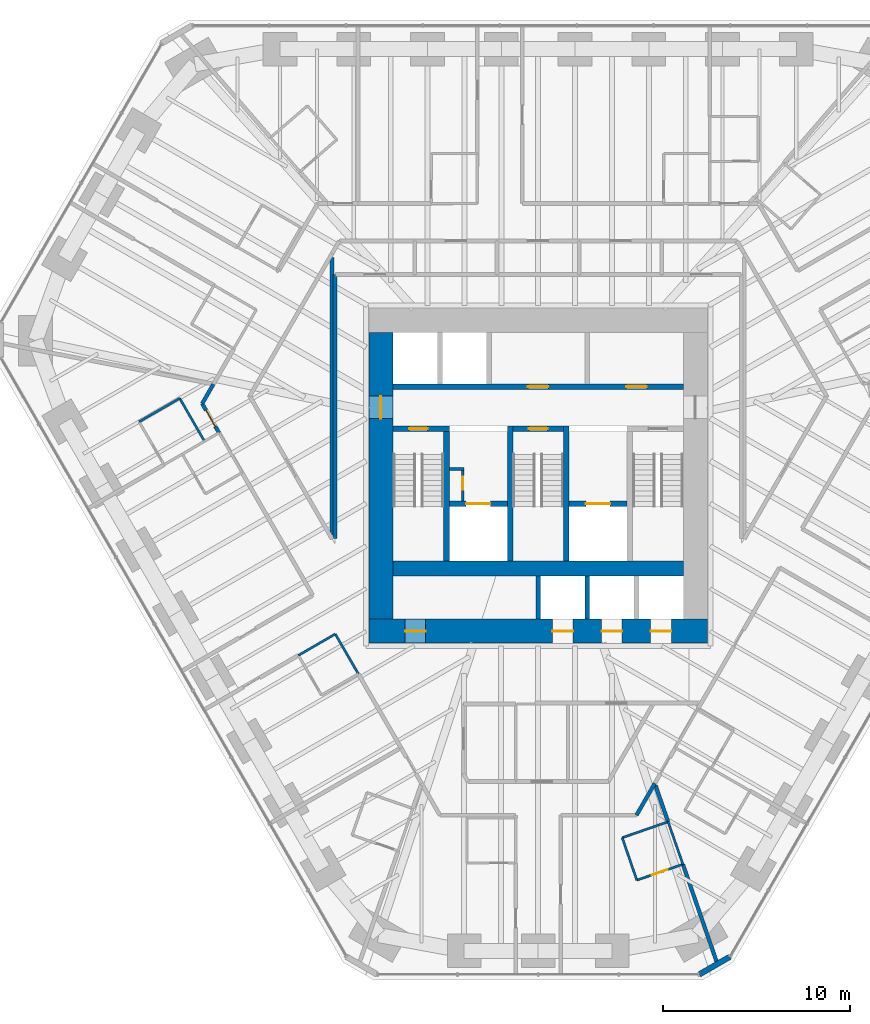
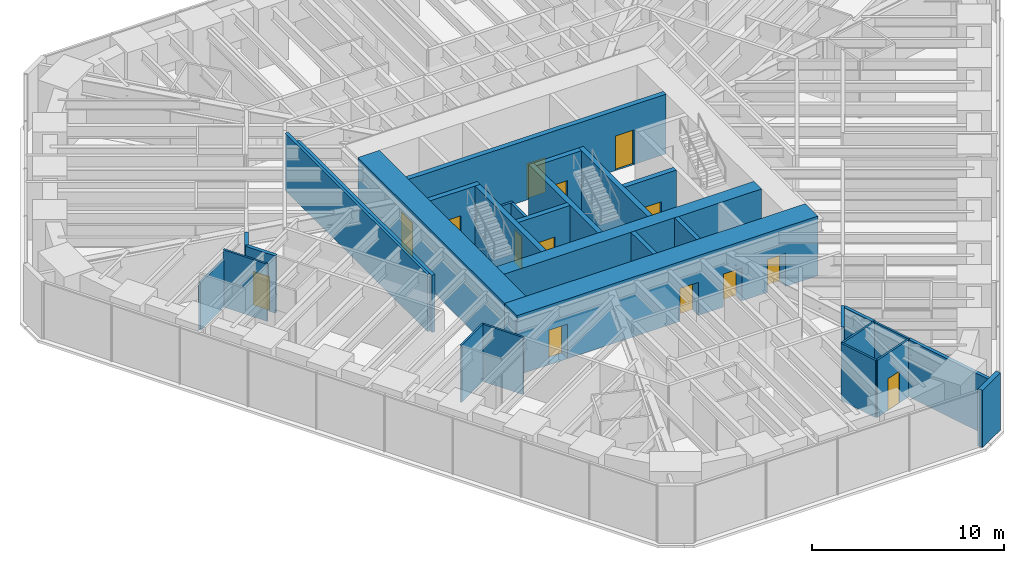
# One storey, part 12 of 17: 31 walls, 14 doors, 14 openings.
"""IFC4 building model written with IfcOpenShell, lengths in metres."""

from ifc_helpers import new_model, si_unit, direction, frame, frame_2d, origin, place, context, subcontext, project, spatial, rectangle, extrude, material, layer, layer_set, type_object, element, fill, save


model = new_model("IFC4")

# Units and contexts
model_context = context("Model", 3, precision=1e-05, world=origin(), true_north=direction((0.0, 1.0)))
body_context = subcontext(model_context, "Body", "Model", "MODEL_VIEW")
ifc_project = project(units=[si_unit("LENGTHUNIT", "METRE"), si_unit("AREAUNIT", "SQUARE_METRE"), si_unit("VOLUMEUNIT", "CUBIC_METRE"), si_unit("PLANEANGLEUNIT", "RADIAN"), si_unit("MASSUNIT", "GRAM", prefix="KILO")], contexts=[model_context])

# Site, building, storey
site_placement = place(None, origin())
site = spatial("IfcSite", under=ifc_project, at=site_placement, CompositionType="ELEMENT")
building_placement = place(site_placement, origin())
building = spatial("IfcBuilding", under=site, at=building_placement, Name="Sandreach Pilgrim Tower", CompositionType="ELEMENT")
storey_placement = place(building_placement, frame((0.0, 0.0, 104.39990234375)))
storey = spatial("IfcBuildingStorey", under=building, at=storey_placement, Name="L25", CompositionType="ELEMENT", Elevation=104.39990234375)

# Walls
ifc_material_1 = material(Name="Moisture-resistant gypsum board on steel studs", Category="steel")
ifc_layer_1 = layer(ifc_material_1, 0.1201171875)
ifc_layer_set_1 = layer_set([ifc_layer_1], Name="Bathroom partition 120")
wall_type_1 = type_object("IfcWallType", Name="Bathroom partition 120", PredefinedType="PARTITIONING", material=ifc_layer_set_1)
wall_1_placement = place(storey_placement, frame((-19.14990234375, 2.580078125, 0.0), z_axis=(0.0, 0.0, 1.0), x_axis=(-0.86653430447, -0.499117520406, 0.0)))
element("IfcWall", 1, at=wall_1_placement, inside=storey, type_object=wall_type_1, Name="Bathroom partition L25-008", PredefinedType="PARTITIONING", context=body_context, shape_type="SweptSolid", body=[
    extrude(rectangle(XDim=2.50439453125, YDim=0.1201171875, at=frame_2d((1.252197265625, 0.0))), origin(), (0.0, 0.0, 1.0), 3.0380859375),
])
wall_2_placement = place(storey_placement, frame((-17.830078125, 0.2900390625, 0.0), z_axis=(0.0, 0.0, 1.0), x_axis=(-0.499338582192, 0.866406936915, 0.0)))
element("IfcWall", 2, at=wall_2_placement, inside=storey, type_object=wall_type_1, Name="Bathroom partition L25-015", PredefinedType="PARTITIONING", context=body_context, shape_type="SweptSolid", body=[
    extrude(rectangle(XDim=2.64306640625, YDim=0.1201171875, at=frame_2d((1.321533203125, 0.0))), origin(), (0.0, 0.0, 1.0), 3.64013671875),
])
wall_3_placement = place(storey_placement, frame((-12.81005859375, -11.14990234375, 0.0), z_axis=(0.0, 0.0, 1.0), x_axis=(0.865543766642, 0.500833293649, 0.0)))
element("IfcWall", 3, at=wall_3_placement, inside=storey, type_object=wall_type_1, Name="Bathroom partition L25-033", PredefinedType="PARTITIONING", context=body_context, shape_type="SweptSolid", body=[
    extrude(rectangle(XDim=2.27587890625, YDim=0.1201171875, at=frame_2d((1.137939453125, 0.0))), origin(), (0.0, 0.0, 1.0), 3.64013671875),
])
wall_4_placement = place(storey_placement, frame((-10.840087890625, -10.010009765625, 0.0), z_axis=(0.0, 0.0, 1.0), x_axis=(0.500089055364, -0.86597398154, 0.0)))
element("IfcWall", 4, at=wall_4_placement, inside=storey, type_object=wall_type_1, Name="Bathroom partition L25-045", PredefinedType="PARTITIONING", context=body_context, shape_type="SweptSolid", body=[
    extrude(rectangle(XDim=2.45947265625, YDim=0.1201171875, at=frame_2d((1.229736328125, 0.0))), origin(), (0.0, 0.0, 1.0), 3.64013671875),
])
wall_5_placement = place(storey_placement, frame((4.489990234375, -20.889892578125, 0.0), z_axis=(0.0, 0.0, 1.0), x_axis=(0.324971746724, -0.945723724896, 0.0)))
element("IfcWall", 5, at=wall_5_placement, inside=storey, type_object=wall_type_1, Name="Bathroom partition L25-093", PredefinedType="PARTITIONING", context=body_context, shape_type="SweptSolid", body=[
    extrude(rectangle(XDim=2.400390625, YDim=0.1201171875, at=frame_2d((1.2001953125, 0.0))), origin(), (0.0, 0.0, 1.0), 3.64013671875),
])

# Wall, opening, door
wall_6_placement = place(storey_placement, frame((5.27001953125, -23.159912109375, 0.0), z_axis=(0.0, 0.0, 1.0), x_axis=(0.945184415197, 0.326537013627, 0.0)))
wall_6 = element("IfcWall", 6, at=wall_6_placement, inside=storey, type_object=wall_type_1, Name="Bathroom partition L25-095", PredefinedType="PARTITIONING", context=body_context, shape_type="SweptSolid", body=[
    extrude(rectangle(XDim=2.6025390625, YDim=0.1201171875, at=frame_2d((1.30126953125, 0.0))), origin(), (0.0, 0.0, 1.0), 3.64013671875),
])
opening_1_placement = place(wall_6_placement, frame((0.85009765625, 0.0, 0.0)))
opening_1 = element("IfcOpeningElement", 7, at=opening_1_placement, cuts=wall_6, Name="Opening D09-10B", PredefinedType="OPENING", context=body_context, shape_type="SweptSolid", body=[
    extrude(rectangle(XDim=0.89990234375, YDim=2.030029296875, at=frame_2d((0.449951171875, 1.01513671875))), frame((0.0, 0.06005859375, 0.0), z_axis=(0.0, -1.0, 0.0), x_axis=(1.0, 0.0, 0.0)), (0.0, 0.0, 1.0), 0.1201171875),
])
ifc_material_2 = material(Name="Timber door, steel frame", Category="steel")
door_type_1 = type_object("IfcDoorType", Name="Bathroom door", OperationType="SINGLE_SWING_LEFT", PredefinedType="DOOR", material=ifc_material_2)
door_1_placement = place(opening_1_placement, origin())
door_1 = element("IfcDoor", 8, at=door_1_placement, inside=storey, type_object=door_type_1, Name="Door 2510B", OperationType="SINGLE_SWING_LEFT", OverallHeight=2.030029296875, OverallWidth=0.89990234375, PredefinedType="DOOR", context=body_context, shape_type="SweptSolid", body=[
    extrude(rectangle(XDim=0.89990234375, YDim=2.030029296875, at=frame_2d((0.449951171875, 1.01513671875))), frame((0.0, 0.02490234375, 0.0), z_axis=(0.0, -1.0, 0.0), x_axis=(1.0, 0.0, 0.0)), (0.0, 0.0, 1.0), 0.050048828125),
])
fill(opening_1, door_1)

# Walls
wall_7_placement = place(storey_placement, frame((6.93994140625, -20.0400390625, 0.0), z_axis=(0.0, 0.0, 1.0), x_axis=(-0.944772080486, -0.327728112822, 0.0)))
element("IfcWall", 9, at=wall_7_placement, inside=storey, type_object=wall_type_1, Name="Bathroom partition L25-104", PredefinedType="PARTITIONING", context=body_context, shape_type="SweptSolid", body=[
    extrude(rectangle(XDim=2.59326171875, YDim=0.1201171875, at=frame_2d((1.296630859375, 0.0))), origin(), (0.0, 0.0, 1.0), 3.64013671875),
])
wall_8_placement = place(storey_placement, frame((6.93994140625, -20.0400390625, 0.0), z_axis=(0.0, 0.0, 1.0), x_axis=(0.328693963496, -0.944436487203, 0.0)))
element("IfcWall", 10, at=wall_8_placement, inside=storey, type_object=wall_type_1, Name="Bathroom partition L25-105", PredefinedType="PARTITIONING", context=body_context, shape_type="SweptSolid", body=[
    extrude(rectangle(XDim=2.403564453125, YDim=0.1201171875, at=frame_2d((1.20166015625, 0.0))), origin(), (0.0, 0.0, 1.0), 3.64013671875),
])
ifc_material_3 = material(Name="Concrete 10000 psi", Category="concrete")
ifc_layer_2 = layer(ifc_material_3, 0.300048828125)
ifc_layer_set_2 = layer_set([ifc_layer_2], Name="Core inner wall 300")
wall_type_2 = type_object("IfcWallType", Name="Core inner wall 300", PredefinedType="SHEAR", material=ifc_layer_set_2)
for number, where, z_axis, x_axis, name in (
    (11, (-4.89990234375, -6.10009765625, 0.0), (0.0, 0.0, 1.0), (0.0, 1.0, 0.0), "Core wall I0 L25"),
    (12, (-1.5, -6.10009765625, 0.0), (0.0, 0.0, 1.0), (0.0, 1.0, 0.0), "Core wall I1 L25"),
    (13, (1.5, -6.10009765625, 0.0), (0.0, 0.0, 1.0), (0.0, 1.0, 0.0), "Core wall I2 L25"),
):
    element("IfcWall", number, at=place(storey_placement, frame(where, z_axis=z_axis, x_axis=x_axis)), inside=storey, type_object=wall_type_2, Name=name, PredefinedType="SHEAR", context=body_context, shape_type="SweptSolid", body=[
        extrude(rectangle(XDim=7.2001953125, YDim=0.300048828125, at=frame_2d((3.60009765625, 0.0))), origin(), (0.0, 0.0, 1.0), 3.800048828125),
    ])

# Wall, opening, door
wall_9_placement = place(storey_placement, frame((-7.75, 0.949951171875, 0.0), z_axis=(0.0, 0.0, 1.0), x_axis=(1.0, 0.0, 0.0)))
wall_9 = element("IfcWall", 14, at=wall_9_placement, inside=storey, type_object=wall_type_2, Name="Core wall SN1 L25", PredefinedType="SHEAR", context=body_context, shape_type="SweptSolid", body=[
    extrude(rectangle(XDim=3.0, YDim=0.300048828125, at=frame_2d((1.5, 0.0))), origin(), (0.0, 0.0, 1.0), 3.800048828125),
])
opening_2_placement = place(wall_9_placement, frame((0.85009765625, 0.0, 0.0)))
opening_2 = element("IfcOpeningElement", 15, at=opening_2_placement, cuts=wall_9, Name="Opening D10S-ST1", PredefinedType="OPENING", context=body_context, shape_type="SweptSolid", body=[
    extrude(rectangle(XDim=1.0, YDim=2.199951171875, at=frame_2d((0.5, 1.10009765625))), frame((0.0, 0.14990234375, 0.0), z_axis=(0.0, -1.0, 0.0), x_axis=(1.0, 0.0, 0.0)), (0.0, 0.0, 1.0), 0.300048828125),
])
ifc_material_4 = material(Name="Steel door and frame", Category="steel")
door_type_2 = type_object("IfcDoorType", Name="Stair door", OperationType="SINGLE_SWING_LEFT", PredefinedType="DOOR", material=ifc_material_4)
door_2_placement = place(opening_2_placement, origin())
door_2 = element("IfcDoor", 16, at=door_2_placement, inside=storey, type_object=door_type_2, Name="Stair door ST1 L25", OperationType="SINGLE_SWING_LEFT", OverallHeight=2.199951171875, OverallWidth=1.0, PredefinedType="DOOR", context=body_context, shape_type="SweptSolid", body=[
    extrude(rectangle(XDim=1.0, YDim=2.199951171875, at=frame_2d((0.5, 1.10009765625))), frame((0.0, 0.02490234375, 0.0), z_axis=(0.0, -1.0, 0.0), x_axis=(1.0, 0.0, 0.0)), (0.0, 0.0, 1.0), 0.050048828125),
])
fill(opening_2, door_2)

wall_10_placement = place(storey_placement, frame((-1.35009765625, 0.949951171875, 0.0), z_axis=(0.0, 0.0, 1.0), x_axis=(1.0, 0.0, 0.0)))
wall_10 = element("IfcWall", 17, at=wall_10_placement, inside=storey, type_object=wall_type_2, Name="Core wall SN3 L25", PredefinedType="SHEAR", context=body_context, shape_type="SweptSolid", body=[
    extrude(rectangle(XDim=2.7001953125, YDim=0.300048828125, at=frame_2d((1.35009765625, 0.0))), origin(), (0.0, 0.0, 1.0), 3.800048828125),
])
opening_3_placement = place(wall_10_placement, frame((0.85009765625, 0.0, 0.0)))
opening_3 = element("IfcOpeningElement", 18, at=opening_3_placement, cuts=wall_10, Name="Opening D10S-ST3", PredefinedType="OPENING", context=body_context, shape_type="SweptSolid", body=[
    extrude(rectangle(XDim=1.0, YDim=2.199951171875, at=frame_2d((0.5, 1.10009765625))), frame((0.0, 0.14990234375, 0.0), z_axis=(0.0, -1.0, 0.0), x_axis=(1.0, 0.0, 0.0)), (0.0, 0.0, 1.0), 0.300048828125),
])
door_3_placement = place(opening_3_placement, origin())
door_3 = element("IfcDoor", 19, at=door_3_placement, inside=storey, type_object=door_type_2, Name="Stair door ST3 L25", OperationType="SINGLE_SWING_LEFT", OverallHeight=2.199951171875, OverallWidth=1.0, PredefinedType="DOOR", context=body_context, shape_type="SweptSolid", body=[
    extrude(rectangle(XDim=1.0, YDim=2.199951171875, at=frame_2d((0.5, 1.10009765625))), frame((0.0, 0.02490234375, 0.0), z_axis=(0.0, -1.0, 0.0), x_axis=(1.0, 0.0, 0.0)), (0.0, 0.0, 1.0), 0.050048828125),
])
fill(opening_3, door_3)

wall_11_placement = place(storey_placement, frame((-4.75, -3.050048828125, 0.0), z_axis=(0.0, 0.0, 1.0), x_axis=(1.0, 0.0, 0.0)))
wall_11 = element("IfcWall", 20, at=wall_11_placement, inside=storey, type_object=wall_type_2, Name="Core wall FL1 L25", PredefinedType="SHEAR", context=body_context, shape_type="SweptSolid", body=[
    extrude(rectangle(XDim=3.10009765625, YDim=0.300048828125, at=frame_2d((1.550048828125, 0.0))), origin(), (0.0, 0.0, 1.0), 3.800048828125),
])
opening_4_placement = place(wall_11_placement, frame((0.89990234375, 0.0, 0.0)))
opening_4 = element("IfcOpeningElement", 21, at=opening_4_placement, cuts=wall_11, Name="Opening LD13", PredefinedType="OPENING", context=body_context, shape_type="SweptSolid", body=[
    extrude(rectangle(XDim=1.300048828125, YDim=2.10009765625, at=frame_2d((0.64990234375, 1.050048828125))), frame((0.0, 0.14990234375, 0.0), z_axis=(0.0, -1.0, 0.0), x_axis=(1.0, 0.0, 0.0)), (0.0, 0.0, 1.0), 0.300048828125),
])
ifc_material_5 = material(Name="Steel door and frame", Category="steel")
door_type_3 = type_object("IfcDoorType", Name="Fire service lift landing door", OperationType="DOUBLE_DOOR_SLIDING", PredefinedType="DOOR", material=ifc_material_5)
door_4_placement = place(opening_4_placement, origin())
door_4 = element("IfcDoor", 22, at=door_4_placement, inside=storey, type_object=door_type_3, Name="Lift landing door FS1 L25", OperationType="DOUBLE_DOOR_SLIDING", OverallHeight=2.10009765625, OverallWidth=1.300048828125, PredefinedType="DOOR", context=body_context, shape_type="SweptSolid", body=[
    extrude(rectangle(XDim=1.300048828125, YDim=2.10009765625, at=frame_2d((0.64990234375, 1.050048828125))), frame((0.0, 0.02490234375, 0.0), z_axis=(0.0, -1.0, 0.0), x_axis=(1.0, 0.0, 0.0)), (0.0, 0.0, 1.0), 0.050048828125),
])
fill(opening_4, door_4)

wall_12_placement = place(storey_placement, frame((1.64990234375, -3.050048828125, 0.0), z_axis=(0.0, 0.0, 1.0), x_axis=(1.0, 0.0, 0.0)))
wall_12 = element("IfcWall", 23, at=wall_12_placement, inside=storey, type_object=wall_type_2, Name="Core wall FL2 L25", PredefinedType="SHEAR", context=body_context, shape_type="SweptSolid", body=[
    extrude(rectangle(XDim=3.10009765625, YDim=0.300048828125, at=frame_2d((1.550048828125, 0.0))), origin(), (0.0, 0.0, 1.0), 3.800048828125),
])
opening_5_placement = place(wall_12_placement, frame((0.89990234375, 0.0, 0.0)))
opening_5 = element("IfcOpeningElement", 24, at=opening_5_placement, cuts=wall_12, Name="Opening LD13", PredefinedType="OPENING", context=body_context, shape_type="SweptSolid", body=[
    extrude(rectangle(XDim=1.300048828125, YDim=2.10009765625, at=frame_2d((0.64990234375, 1.050048828125))), frame((0.0, 0.14990234375, 0.0), z_axis=(0.0, -1.0, 0.0), x_axis=(1.0, 0.0, 0.0)), (0.0, 0.0, 1.0), 0.300048828125),
])
door_5_placement = place(opening_5_placement, origin())
door_5 = element("IfcDoor", 25, at=door_5_placement, inside=storey, type_object=door_type_3, Name="Lift landing door FS2 L25", OperationType="DOUBLE_DOOR_SLIDING", OverallHeight=2.10009765625, OverallWidth=1.300048828125, PredefinedType="DOOR", context=body_context, shape_type="SweptSolid", body=[
    extrude(rectangle(XDim=1.300048828125, YDim=2.10009765625, at=frame_2d((0.64990234375, 1.050048828125))), frame((0.0, 0.02490234375, 0.0), z_axis=(0.0, -1.0, 0.0), x_axis=(1.0, 0.0, 0.0)), (0.0, 0.0, 1.0), 0.050048828125),
])
fill(opening_5, door_5)

# Wall, openings, doors
wall_13_placement = place(storey_placement, frame((-7.75, 3.199951171875, 0.0), z_axis=(0.0, 0.0, 1.0), x_axis=(1.0, 0.0, 0.0)))
wall_13 = element("IfcWall", 26, at=wall_13_placement, inside=storey, type_object=wall_type_2, Name="Core wall PN L25", PredefinedType="SHEAR", context=body_context, shape_type="SweptSolid", body=[
    extrude(rectangle(XDim=15.5, YDim=0.300048828125, at=frame_2d((7.75, 0.0))), origin(), (0.0, 0.0, 1.0), 3.800048828125),
])
opening_6_placement = place(wall_13_placement, frame((7.199951171875, 0.0, 0.0)))
opening_6 = element("IfcOpeningElement", 27, at=opening_6_placement, cuts=wall_13, Name="Opening D11L", PredefinedType="OPENING", context=body_context, shape_type="SweptSolid", body=[
    extrude(rectangle(XDim=1.10009765625, YDim=2.199951171875, at=frame_2d((0.550048828125, 1.10009765625))), frame((0.0, 0.14990234375, 0.0), z_axis=(0.0, -1.0, 0.0), x_axis=(1.0, 0.0, 0.0)), (0.0, 0.0, 1.0), 0.300048828125),
])
opening_7_placement = place(wall_13_placement, frame((12.449951171875, 0.0, 0.0)))
opening_7 = element("IfcOpeningElement", 28, at=opening_7_placement, cuts=wall_13, Name="Opening D11L", PredefinedType="OPENING", context=body_context, shape_type="SweptSolid", body=[
    extrude(rectangle(XDim=1.10009765625, YDim=2.199951171875, at=frame_2d((0.550048828125, 1.10009765625))), frame((0.0, 0.14990234375, 0.0), z_axis=(0.0, -1.0, 0.0), x_axis=(1.0, 0.0, 0.0)), (0.0, 0.0, 1.0), 0.300048828125),
])
ifc_material_6 = material(Name="Steel door and frame, smoke seals", Category="steel")
door_type_4 = type_object("IfcDoorType", Name="Core room door", OperationType="SINGLE_SWING_LEFT", PredefinedType="DOOR", material=ifc_material_6)
door_6_placement = place(opening_6_placement, origin())
door_6 = element("IfcDoor", 29, at=door_6_placement, inside=storey, type_object=door_type_4, Name="Door guest pantry 25K1", OperationType="SINGLE_SWING_LEFT", OverallHeight=2.199951171875, OverallWidth=1.10009765625, PredefinedType="DOOR", context=body_context, shape_type="SweptSolid", body=[
    extrude(rectangle(XDim=1.10009765625, YDim=2.199951171875, at=frame_2d((0.550048828125, 1.10009765625))), frame((0.0, 0.02490234375, 0.0), z_axis=(0.0, -1.0, 0.0), x_axis=(1.0, 0.0, 0.0)), (0.0, 0.0, 1.0), 0.050048828125),
])
fill(opening_6, door_6)
door_7_placement = place(opening_7_placement, origin())
door_7 = element("IfcDoor", 30, at=door_7_placement, inside=storey, type_object=door_type_4, Name="Door it room 25K2", OperationType="SINGLE_SWING_RIGHT", OverallHeight=2.199951171875, OverallWidth=1.10009765625, PredefinedType="DOOR", context=body_context, shape_type="SweptSolid", body=[
    extrude(rectangle(XDim=1.10009765625, YDim=2.199951171875, at=frame_2d((0.550048828125, 1.10009765625))), frame((0.0, 0.02490234375, 0.0), z_axis=(0.0, -1.0, 0.0), x_axis=(1.0, 0.0, 0.0)), (0.0, 0.0, 1.0), 0.050048828125),
])
fill(opening_7, door_7)

# Wall
ifc_material_7 = material(Name="Concrete 10000 psi", Category="concrete")
ifc_layer_3 = layer(ifc_material_7, 0.800048828125)
ifc_layer_set_3 = layer_set([ifc_layer_3], Name="Core mid wall 800")
wall_type_3 = type_object("IfcWallType", Name="Core mid wall 800", PredefinedType="SHEAR", material=ifc_layer_set_3)
wall_14_placement = place(storey_placement, frame((-7.75, -6.5, 0.0), z_axis=(0.0, 0.0, 1.0), x_axis=(1.0, 0.0, 0.0)))
element("IfcWall", 31, at=wall_14_placement, inside=storey, type_object=wall_type_3, Name="Core wall M L25", PredefinedType="SHEAR", context=body_context, shape_type="SweptSolid", body=[
    extrude(rectangle(XDim=15.5, YDim=0.800048828125, at=frame_2d((7.75, 0.0))), origin(), (0.0, 0.0, 1.0), 3.800048828125),
])

# Wall, openings, doors
ifc_material_8 = material(Name="Concrete 10000 psi", Category="concrete")
ifc_layer_4 = layer(ifc_material_8, 1.300048828125)
ifc_layer_set_4 = layer_set([ifc_layer_4], Name="Core wall 1300")
wall_type_4 = type_object("IfcWallType", Name="Core wall 1300", PredefinedType="SHEAR", material=ifc_layer_set_4)
wall_15_placement = place(storey_placement, frame((-9.050048828125, -9.85009765625, 0.0), z_axis=(0.0, 0.0, 1.0), x_axis=(1.0, 0.0, 0.0)))
wall_15 = element("IfcWall", 32, at=wall_15_placement, inside=storey, type_object=wall_type_4, Name="Core wall S L25", PredefinedType="SHEAR", context=body_context, shape_type="SweptSolid", body=[
    extrude(rectangle(XDim=18.10009765625, YDim=1.300048828125, at=frame_2d((9.050048828125, 0.0))), origin(), (0.0, 0.0, 1.0), 3.800048828125),
])
opening_8_placement = place(wall_15_placement, frame((1.9375, 0.0, 0.0)))
opening_8 = element("IfcOpeningElement", 33, at=opening_8_placement, cuts=wall_15, Name="Opening D11H", PredefinedType="OPENING", context=body_context, shape_type="SweptSolid", body=[
    extrude(rectangle(XDim=1.10009765625, YDim=2.199951171875, at=frame_2d((0.550048828125, 1.10009765625))), frame((0.0, 0.64990234375, 0.0), z_axis=(0.0, -1.0, 0.0), x_axis=(1.0, 0.0, 0.0)), (0.0, 0.0, 1.0), 1.300048828125),
])
opening_9_placement = place(wall_15_placement, frame((9.8125, 0.0, 0.0)))
opening_9 = element("IfcOpeningElement", 34, at=opening_9_placement, cuts=wall_15, Name="Opening LD11", PredefinedType="OPENING", context=body_context, shape_type="SweptSolid", body=[
    extrude(rectangle(XDim=1.10009765625, YDim=2.10009765625, at=frame_2d((0.550048828125, 1.050048828125))), frame((0.0, 0.64990234375, 0.0), z_axis=(0.0, -1.0, 0.0), x_axis=(1.0, 0.0, 0.0)), (0.0, 0.0, 1.0), 1.300048828125),
])
opening_10_placement = place(wall_15_placement, frame((12.4375, 0.0, 0.0)))
opening_10 = element("IfcOpeningElement", 35, at=opening_10_placement, cuts=wall_15, Name="Opening LD11", PredefinedType="OPENING", context=body_context, shape_type="SweptSolid", body=[
    extrude(rectangle(XDim=1.10009765625, YDim=2.10009765625, at=frame_2d((0.550048828125, 1.050048828125))), frame((0.0, 0.64990234375, 0.0), z_axis=(0.0, -1.0, 0.0), x_axis=(1.0, 0.0, 0.0)), (0.0, 0.0, 1.0), 1.300048828125),
])
opening_11_placement = place(wall_15_placement, frame((15.0625, 0.0, 0.0)))
opening_11 = element("IfcOpeningElement", 36, at=opening_11_placement, cuts=wall_15, Name="Opening LD11", PredefinedType="OPENING", context=body_context, shape_type="SweptSolid", body=[
    extrude(rectangle(XDim=1.10009765625, YDim=2.10009765625, at=frame_2d((0.550048828125, 1.050048828125))), frame((0.0, 0.64990234375, 0.0), z_axis=(0.0, -1.0, 0.0), x_axis=(1.0, 0.0, 0.0)), (0.0, 0.0, 1.0), 1.300048828125),
])
ifc_material_9 = material(Name="Steel door and frame", Category="steel")
door_type_5 = type_object("IfcDoorType", Name="Back of house door", OperationType="SINGLE_SWING_LEFT", PredefinedType="DOOR", material=ifc_material_9)
door_8_placement = place(opening_8_placement, origin())
door_8 = element("IfcDoor", 37, at=door_8_placement, inside=storey, type_object=door_type_5, Name="Door staff room 25K3", OperationType="SINGLE_SWING_LEFT", OverallHeight=2.199951171875, OverallWidth=1.10009765625, PredefinedType="DOOR", context=body_context, shape_type="SweptSolid", body=[
    extrude(rectangle(XDim=1.10009765625, YDim=2.199951171875, at=frame_2d((0.550048828125, 1.10009765625))), frame((0.0, 0.02490234375, 0.0), z_axis=(0.0, -1.0, 0.0), x_axis=(1.0, 0.0, 0.0)), (0.0, 0.0, 1.0), 0.050048828125),
])
fill(opening_8, door_8)
ifc_material_10 = material(Name="Steel door and frame", Category="steel")
door_type_6 = type_object("IfcDoorType", Name="Lift landing door", OperationType="DOUBLE_DOOR_SLIDING", PredefinedType="DOOR", material=ifc_material_10)
door_9_placement = place(opening_9_placement, origin())
door_9 = element("IfcDoor", 38, at=door_9_placement, inside=storey, type_object=door_type_6, Name="Lift landing door Z2A L25", OperationType="DOUBLE_DOOR_SLIDING", OverallHeight=2.10009765625, OverallWidth=1.10009765625, PredefinedType="DOOR", context=body_context, shape_type="SweptSolid", body=[
    extrude(rectangle(XDim=1.10009765625, YDim=2.10009765625, at=frame_2d((0.550048828125, 1.050048828125))), frame((0.0, 0.02490234375, 0.0), z_axis=(0.0, -1.0, 0.0), x_axis=(1.0, 0.0, 0.0)), (0.0, 0.0, 1.0), 0.050048828125),
])
fill(opening_9, door_9)
door_10_placement = place(opening_10_placement, origin())
door_10 = element("IfcDoor", 39, at=door_10_placement, inside=storey, type_object=door_type_6, Name="Lift landing door Z2B L25", OperationType="DOUBLE_DOOR_SLIDING", OverallHeight=2.10009765625, OverallWidth=1.10009765625, PredefinedType="DOOR", context=body_context, shape_type="SweptSolid", body=[
    extrude(rectangle(XDim=1.10009765625, YDim=2.10009765625, at=frame_2d((0.550048828125, 1.050048828125))), frame((0.0, 0.02490234375, 0.0), z_axis=(0.0, -1.0, 0.0), x_axis=(1.0, 0.0, 0.0)), (0.0, 0.0, 1.0), 0.050048828125),
])
fill(opening_10, door_10)
door_11_placement = place(opening_11_placement, origin())
door_11 = element("IfcDoor", 40, at=door_11_placement, inside=storey, type_object=door_type_6, Name="Lift landing door Z2C L25", OperationType="DOUBLE_DOOR_SLIDING", OverallHeight=2.10009765625, OverallWidth=1.10009765625, PredefinedType="DOOR", context=body_context, shape_type="SweptSolid", body=[
    extrude(rectangle(XDim=1.10009765625, YDim=2.10009765625, at=frame_2d((0.550048828125, 1.050048828125))), frame((0.0, 0.02490234375, 0.0), z_axis=(0.0, -1.0, 0.0), x_axis=(1.0, 0.0, 0.0)), (0.0, 0.0, 1.0), 0.050048828125),
])
fill(opening_11, door_11)

# Wall, opening, door
wall_16_placement = place(storey_placement, frame((-8.39990234375, -9.199951171875, 0.0), z_axis=(0.0, 0.0, 1.0), x_axis=(0.0, 1.0, 0.0)))
wall_16 = element("IfcWall", 41, at=wall_16_placement, inside=storey, type_object=wall_type_4, Name="Core wall W L25", PredefinedType="SHEAR", context=body_context, shape_type="SweptSolid", body=[
    extrude(rectangle(XDim=15.300048828125, YDim=1.300048828125, at=frame_2d((7.64990234375, 0.0))), origin(), (0.0, 0.0, 1.0), 3.800048828125),
])
opening_12_placement = place(wall_16_placement, frame((10.699951171875, 0.0, 0.0)))
opening_12 = element("IfcOpeningElement", 42, at=opening_12_placement, cuts=wall_16, Name="Opening D12F-W", PredefinedType="OPENING", context=body_context, shape_type="SweptSolid", body=[
    extrude(rectangle(XDim=1.199951171875, YDim=2.199951171875, at=frame_2d((0.60009765625, 1.10009765625))), frame((0.0, 0.64990234375, 0.0), z_axis=(0.0, -1.0, 0.0), x_axis=(1.0, 0.0, 0.0)), (0.0, 0.0, 1.0), 1.300048828125),
])
ifc_material_11 = material(Name="Steel door and frame", Category="steel")
door_type_7 = type_object("IfcDoorType", Name="Fire lobby door", OperationType="SINGLE_SWING_LEFT", PredefinedType="DOOR", material=ifc_material_11)
door_12_placement = place(opening_12_placement, origin())
door_12 = element("IfcDoor", 43, at=door_12_placement, inside=storey, type_object=door_type_7, Name="Fire service lobby door W L25", OperationType="SINGLE_SWING_RIGHT", OverallHeight=2.199951171875, OverallWidth=1.199951171875, PredefinedType="DOOR", context=body_context, shape_type="SweptSolid", body=[
    extrude(rectangle(XDim=1.199951171875, YDim=2.199951171875, at=frame_2d((0.60009765625, 1.10009765625))), frame((0.0, 0.02490234375, 0.0), z_axis=(0.0, -1.0, 0.0), x_axis=(1.0, 0.0, 0.0)), (0.0, 0.0, 1.0), 0.050048828125),
])
fill(opening_12, door_12)

# Wall
ifc_material_12 = material(Name="Gypsum board on steel studs, two layers each side", Category="steel")
ifc_layer_5 = layer(ifc_material_12, 0.199951171875)
ifc_layer_set_5 = layer_set([ifc_layer_5], Name="Corridor wall 200")
wall_type_5 = type_object("IfcWallType", Name="Corridor wall 200", PredefinedType="PARTITIONING", material=ifc_layer_set_5)
wall_17_placement = place(storey_placement, frame((-17.949951171875, 2.300048828125, 0.0), z_axis=(0.0, 0.0, 1.0), x_axis=(0.499616828121, 0.866246515178, 0.0)))
element("IfcWall", 44, at=wall_17_placement, inside=storey, type_object=wall_type_5, Name="Corridor wall L25-013", PredefinedType="PARTITIONING", context=body_context, shape_type="SweptSolid", body=[
    extrude(rectangle(XDim=1.20068359375, YDim=0.199951171875, at=frame_2d((0.600341796875, 0.0))), origin(), (0.0, 0.0, 1.0), 3.64013671875),
])

# Wall, opening, door
wall_18_placement = place(storey_placement, frame((-17.949951171875, 2.300048828125, 0.0), z_axis=(0.0, 0.0, 1.0), x_axis=(0.499667687562, -0.866217179469, 0.0)))
wall_18 = element("IfcWall", 45, at=wall_18_placement, inside=storey, type_object=wall_type_5, Name="Corridor wall L25-014", PredefinedType="PARTITIONING", context=body_context, shape_type="SweptSolid", body=[
    extrude(rectangle(XDim=1.801025390625, YDim=0.199951171875, at=frame_2d((0.900390625, 0.0))), origin(), (0.0, 0.0, 1.0), 3.64013671875),
])
opening_13_placement = place(wall_18_placement, frame((0.400390625, 0.0, 0.0)))
opening_13 = element("IfcOpeningElement", 46, at=opening_13_placement, cuts=wall_18, Name="Opening D10-15", PredefinedType="OPENING", context=body_context, shape_type="SweptSolid", body=[
    extrude(rectangle(XDim=1.0, YDim=2.1298828125, at=frame_2d((0.5, 1.06494140625))), frame((0.0, 0.10009765625, 0.0), z_axis=(0.0, -1.0, 0.0), x_axis=(1.0, 0.0, 0.0)), (0.0, 0.0, 1.0), 0.199951171875),
])
ifc_material_13 = material(Name="Steel door and frame", Category="steel")
door_type_8 = type_object("IfcDoorType", Name="Guest room entry door", OperationType="SINGLE_SWING_LEFT", PredefinedType="DOOR", material=ifc_material_13)
door_13_placement = place(opening_13_placement, origin())
door_13 = element("IfcDoor", 47, at=door_13_placement, inside=storey, type_object=door_type_8, Name="Door 2515", OperationType="SINGLE_SWING_LEFT", OverallHeight=2.1298828125, OverallWidth=1.0, PredefinedType="DOOR", context=body_context, shape_type="SweptSolid", body=[
    extrude(rectangle(XDim=1.0, YDim=2.1298828125, at=frame_2d((0.5, 1.06494140625))), frame((0.0, 0.02490234375, 0.0), z_axis=(0.0, -1.0, 0.0), x_axis=(1.0, 0.0, 0.0)), (0.0, 0.0, 1.0), 0.050048828125),
])
fill(opening_13, door_13)

# Walls
wall_19_placement = place(storey_placement, frame((-10.85009765625, 9.199951171875, 0.0), z_axis=(0.0, 0.0, 1.0), x_axis=(0.0, -1.0, 0.0)))
element("IfcWall", 48, at=wall_19_placement, inside=storey, type_object=wall_type_5, Name="Corridor wall L25-044", PredefinedType="PARTITIONING", context=body_context, shape_type="SweptSolid", body=[
    extrude(rectangle(XDim=14.10986328125, YDim=0.199951171875, at=frame_2d((7.054931640625, 0.0))), origin(), (0.0, 0.0, 1.0), 3.64013671875),
])
wall_20_placement = place(storey_placement, frame((5.25, -19.68994140625, 0.0), z_axis=(0.0, 0.0, 1.0), x_axis=(0.499431599995, 0.866353321068, 0.0)))
element("IfcWall", 49, at=wall_20_placement, inside=storey, type_object=wall_type_5, Name="Corridor wall L25-094", PredefinedType="PARTITIONING", context=body_context, shape_type="SweptSolid", body=[
    extrude(rectangle(XDim=1.962158203125, YDim=0.199951171875, at=frame_2d((0.98095703125, 0.0))), origin(), (0.0, 0.0, 1.0), 3.64013671875),
])
ifc_material_14 = material(Name="Double steel stud acoustic wall, gypsum board", Category="steel")
ifc_layer_6 = layer(ifc_material_14, 0.199951171875)
ifc_layer_set_6 = layer_set([ifc_layer_6], Name="Party wall 200")
wall_type_6 = type_object("IfcWallType", Name="Party wall 200", PredefinedType="PARTITIONING", material=ifc_layer_set_6)
wall_21_placement = place(storey_placement, frame((-11.010009765625, 10.114990234375, 0.0), z_axis=(0.0, 0.0, 1.0), x_axis=(0.0, -1.0, 0.0)))
element("IfcWall", 50, at=wall_21_placement, inside=storey, type_object=wall_type_6, Name="Party wall L25-042", PredefinedType="PARTITIONING", context=body_context, shape_type="SweptSolid", body=[
    extrude(rectangle(XDim=14.840087890625, YDim=0.199951171875, at=frame_2d((7.419921875, 0.0))), origin(), (0.0, 0.0, 1.0), 3.64013671875),
])
wall_22_placement = place(storey_placement, frame((6.267578125, -18.0986328125, 0.0), z_axis=(0.0, 0.0, 1.0), x_axis=(0.327257488288, -0.944935202202, 0.0)))
element("IfcWall", 51, at=wall_22_placement, inside=storey, type_object=wall_type_6, Name="Party wall L25-098", PredefinedType="PARTITIONING", context=body_context, shape_type="SweptSolid", body=[
    extrude(rectangle(XDim=2.054443359375, YDim=0.199951171875, at=frame_2d((1.02734375, 0.0))), origin(), (0.0, 0.0, 1.0), 3.64013671875),
])
wall_23_placement = place(storey_placement, frame((7.72998046875, -22.31005859375, 0.0), z_axis=(0.0, 0.0, 1.0), x_axis=(0.327284111977, -0.944925981253, 0.0)))
element("IfcWall", 52, at=wall_23_placement, inside=storey, type_object=wall_type_6, Name="Party wall L25-108", PredefinedType="PARTITIONING", context=body_context, shape_type="SweptSolid", body=[
    extrude(rectangle(XDim=5.65283203125, YDim=0.199951171875, at=frame_2d((2.826416015625, 0.0))), origin(), (0.0, 0.0, 1.0), 3.64013671875),
])

# Wall, opening, door
ifc_material_15 = material(Name="Gypsum shaft wall on steel studs, shaft liner board", Category="steel")
ifc_layer_7 = layer(ifc_material_15, 0.14990234375)
ifc_layer_set_7 = layer_set([ifc_layer_7], Name="Riser shaft wall 150")
wall_type_7 = type_object("IfcWallType", Name="Riser shaft wall 150", PredefinedType="PARTITIONING", material=ifc_layer_set_7)
wall_24_placement = place(storey_placement, frame((-4.02490234375, -2.89990234375, 0.0), z_axis=(0.0, 0.0, 1.0), x_axis=(0.0, 1.0, 0.0)))
wall_24 = element("IfcWall", 53, at=wall_24_placement, inside=storey, type_object=wall_type_7, Name="Riser partition L25 side", PredefinedType="PARTITIONING", context=body_context, shape_type="SweptSolid", body=[
    extrude(rectangle(XDim=1.77490234375, YDim=0.14990234375, at=frame_2d((0.887451171875, 0.0))), origin(), (0.0, 0.0, 1.0), 3.64013671875),
])
opening_14_placement = place(wall_24_placement, frame((0.60009765625, 0.0, 0.0)))
opening_14 = element("IfcOpeningElement", 54, at=opening_14_placement, cuts=wall_24, Name="Opening D07R", PredefinedType="OPENING", context=body_context, shape_type="SweptSolid", body=[
    extrude(rectangle(XDim=0.699951171875, YDim=2.10009765625, at=frame_2d((0.35009765625, 1.050048828125))), frame((0.0, 0.074951171875, 0.0), z_axis=(0.0, -1.0, 0.0), x_axis=(1.0, 0.0, 0.0)), (0.0, 0.0, 1.0), 0.14990234375),
])
ifc_material_16 = material(Name="Steel door and frame, smoke seals", Category="steel")
door_type_9 = type_object("IfcDoorType", Name="Riser access door", OperationType="SINGLE_SWING_RIGHT", PredefinedType="DOOR", material=ifc_material_16)
door_14_placement = place(opening_14_placement, origin())
door_14 = element("IfcDoor", 55, at=door_14_placement, inside=storey, type_object=door_type_9, Name="Door riser 25ER", OperationType="SINGLE_SWING_RIGHT", OverallHeight=2.10009765625, OverallWidth=0.699951171875, PredefinedType="DOOR", context=body_context, shape_type="SweptSolid", body=[
    extrude(rectangle(XDim=0.699951171875, YDim=2.10009765625, at=frame_2d((0.35009765625, 1.050048828125))), frame((0.0, 0.02490234375, 0.0), z_axis=(0.0, -1.0, 0.0), x_axis=(1.0, 0.0, 0.0)), (0.0, 0.0, 1.0), 0.050048828125),
])
fill(opening_14, door_14)

# Walls
wall_25_placement = place(storey_placement, frame((-4.75, -1.199951171875, 0.0), z_axis=(0.0, 0.0, 1.0), x_axis=(1.0, 0.0, 0.0)))
element("IfcWall", 56, at=wall_25_placement, inside=storey, type_object=wall_type_7, Name="Riser partition L25 front", PredefinedType="PARTITIONING", context=body_context, shape_type="SweptSolid", body=[
    extrude(rectangle(XDim=0.800048828125, YDim=0.14990234375, at=frame_2d((0.39990234375, 0.0))), origin(), (0.0, 0.0, 1.0), 3.64013671875),
])
ifc_material_17 = material(Name="Gypsum shaft wall on steel studs, two layers of shaft liner board", Category="steel")
ifc_layer_8 = layer(ifc_material_17, 0.25)
ifc_layer_set_8 = layer_set([ifc_layer_8], Name="Shaft partition 250")
wall_type_8 = type_object("IfcWallType", Name="Shaft partition 250", PredefinedType="PARTITIONING", material=ifc_layer_set_8)
for number, where, z_axis, x_axis, name in (
    (57, (0.0, -9.199951171875, 0.0), (0.0, 0.0, 1.0), (0.0, 1.0, 0.0), "Shaft partition XS2 L25"),
    (58, (2.625, -9.199951171875, 0.0), (0.0, 0.0, 1.0), (0.0, 1.0, 0.0), "Shaft partition XS3 L25"),
):
    element("IfcWall", number, at=place(storey_placement, frame(where, z_axis=z_axis, x_axis=x_axis)), inside=storey, type_object=wall_type_8, Name=name, PredefinedType="PARTITIONING", context=body_context, shape_type="SweptSolid", body=[
        extrude(rectangle(XDim=2.300048828125, YDim=0.25, at=frame_2d((1.14990234375, 0.0))), origin(), (0.0, 0.0, 1.0), 3.800048828125),
    ])
ifc_material_18 = material(Name="Terracotta rainscreen on concrete", Category="masonry")
ifc_layer_9 = layer(ifc_material_18, 0.300048828125)
ifc_layer_set_9 = layer_set([ifc_layer_9], Name="Terracotta chamfer pier")
wall_type_9 = type_object("IfcWallType", Name="Terracotta chamfer pier", PredefinedType="SOLIDWALL", material=ifc_layer_set_9)
wall_26_placement = place(storey_placement, frame((10.239501953125, -27.252197265625, 0.0), z_axis=(0.0, 0.0, 1.0), x_axis=(-0.866045024864, -0.499966013754, 0.0)))
element("IfcWall", 59, at=wall_26_placement, inside=storey, type_object=wall_type_9, Name="Chamfer pier L25 SE", PredefinedType="SOLIDWALL", context=body_context, shape_type="SweptSolid", body=[
    extrude(rectangle(XDim=1.880126953125, YDim=0.300048828125, at=frame_2d((0.93994140625, 0.0))), origin(), (0.0, 0.0, 1.0), 3.64013671875),
])

save(model, "model.ifc")
